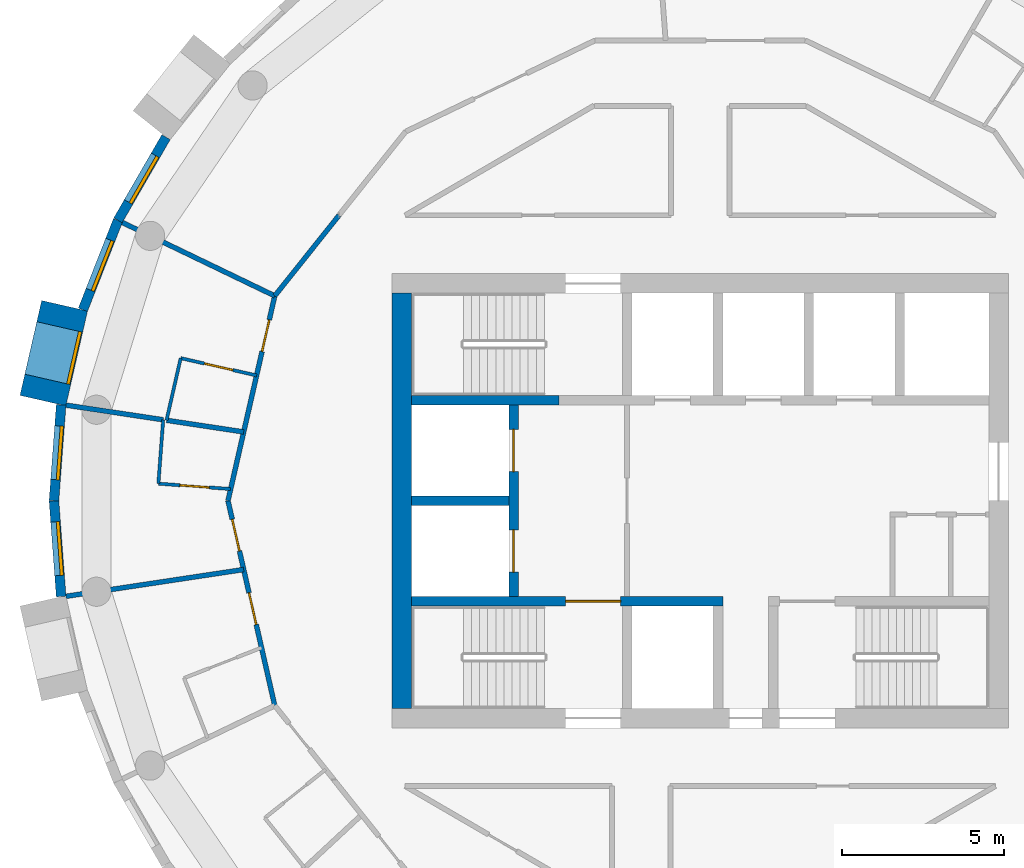
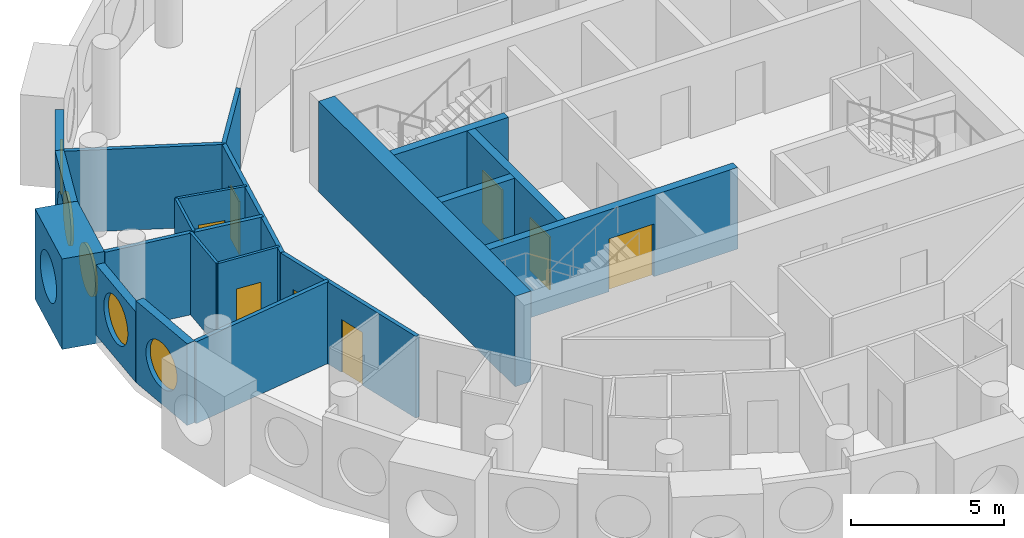
# One storey, part 6 of 12: 21 walls, 8 doors, 5 windows, 13 openings.
"""IFC4 building model written with IfcOpenShell, lengths in metres."""

from ifc_helpers import new_model, si_unit, direction, frame, frame_2d, origin, origin_2d, place, context, subcontext, project, spatial, rectangle, circle, extrude, material, layer, layer_set, type_object, element, fill, save


model = new_model("IFC4")

# Units and contexts
model_context = context("Model", 3, precision=1e-05, world=origin(), true_north=direction((0.0, 1.0)))
body_context = subcontext(model_context, "Body", "Model", "MODEL_VIEW")
ifc_project = project(units=[si_unit("LENGTHUNIT", "METRE"), si_unit("AREAUNIT", "SQUARE_METRE"), si_unit("VOLUMEUNIT", "CUBIC_METRE"), si_unit("PLANEANGLEUNIT", "RADIAN"), si_unit("MASSUNIT", "GRAM", prefix="KILO")], contexts=[model_context])

# Site, building, storey
site_placement = place(None, origin())
site = spatial("IfcSite", under=ifc_project, at=site_placement, CompositionType="ELEMENT")
building_placement = place(site_placement, origin())
building = spatial("IfcBuilding", under=site, at=building_placement, Name="Tracery Tower", CompositionType="ELEMENT")
storey_placement = place(building_placement, frame((0.0, 0.0, 287.39990234375)))
storey = spatial("IfcBuildingStorey", under=building, at=storey_placement, Name="L74", CompositionType="ELEMENT", Elevation=287.39990234375)

# Wall
ifc_material_1 = material(Name="Concrete C40/50", Category="concrete")
ifc_layer_1 = layer(ifc_material_1, 0.60009765625)
ifc_layer_set_1 = layer_set([ifc_layer_1], Name="Core wall 600 C40")
wall_type_1 = type_object("IfcWallType", Name="Core wall 600 C40", PredefinedType="SOLIDWALL", material=ifc_layer_set_1)
wall_1_placement = place(storey_placement, frame((-9.199951171875, -6.39990234375, 0.0), z_axis=(0.0, 0.0, 1.0), x_axis=(0.0, 1.0, 0.0)))
element("IfcWall", 1, at=wall_1_placement, inside=storey, type_object=wall_type_1, Name="L74 outer W", PredefinedType="SOLIDWALL", context=body_context, shape_type="SweptSolid", body=[
    extrude(rectangle(XDim=12.7998046875, YDim=0.60009765625, at=frame_2d((6.39990234375, 0.0))), origin(), (0.0, 0.0, 1.0), 3.60009765625),
])

# Wall, opening, window
ifc_material_2 = material(Name="Precast concrete C50/60", Category="concrete")
ifc_layer_2 = layer(ifc_material_2, 1.449951171875)
ifc_layer_set_2 = layer_set([ifc_layer_2], Name="Deep-set bay unit 3000 x 3600, slab edge 350")
wall_type_2 = type_object("IfcWallType", Name="Deep-set bay unit 3000 x 3600, slab edge 350", PredefinedType="ELEMENTEDWALL", material=ifc_layer_set_2)
wall_2_placement = place(storey_placement, frame((-19.5947265625, 6.010986328125, -0.349853515625), z_axis=(0.0, 0.0, 1.0), x_axis=(-0.222570682856, -0.974916555985, 0.0)))
wall_2 = element("IfcWall", 2, at=wall_2_placement, inside=storey, type_object=wall_type_2, Name="Deep-set bay unit 20 at L74", PredefinedType="ELEMENTEDWALL", context=body_context, shape_type="SweptSolid", body=[
    extrude(rectangle(XDim=3.0, YDim=1.449951171875, at=frame_2d((1.5, 0.0))), origin(), (0.0, 0.0, 1.0), 3.599853515625),
])
opening_1_placement = place(wall_2_placement, frame((1.5, 0.0, 1.89990234375)))
opening_1 = element("IfcOpeningElement", 3, at=opening_1_placement, cuts=wall_2, Name="Opening WN1", PredefinedType="OPENING", context=body_context, shape_type="SweptSolid", body=[
    extrude(circle(Radius=0.9000244140625, at=origin_2d()), frame((0.0, 0.73486328125, 0.0), z_axis=(0.0, -1.0, 0.0), x_axis=(1.0, 0.0, 0.0)), (0.0, 0.0, 1.0), 1.469970703125),
])
ifc_material_3 = material(Name="Aluminium frame with tinted double glazing", Category="aluminium")
window_type = type_object("IfcWindowType", Name="Round window 1800", PartitioningType="SINGLE_PANEL", PredefinedType="WINDOW", material=ifc_material_3)
window_1_placement = place(opening_1_placement, origin())
window_1 = element("IfcWindow", 4, at=window_1_placement, inside=storey, type_object=window_type, Name="Round window 20 at L74", OverallHeight=1.800048828125, OverallWidth=1.800048828125, PartitioningType="SINGLE_PANEL", PredefinedType="WINDOW", context=body_context, shape_type="SweptSolid", body=[
    extrude(circle(Radius=0.9000244140625, at=origin_2d()), frame((0.0, 0.69482421875, 0.0), z_axis=(0.0, -1.0, 0.0), x_axis=(1.0, 0.0, 0.0)), (0.0, 0.0, 1.0), 0.10009765625),
])
fill(opening_1, window_1)

ifc_material_4 = material(Name="Precast concrete C50/60", Category="concrete")
ifc_layer_3 = layer(ifc_material_4, 0.300048828125)
ifc_layer_set_3 = layer_set([ifc_layer_3], Name="Facade panel 3000 x 2800")
wall_type_3 = type_object("IfcWallType", Name="Facade panel 3000 x 2800", PredefinedType="SOLIDWALL", material=ifc_layer_set_3)
wall_3_placement = place(storey_placement, frame((-16.4677734375, 11.209228515625, 0.0), z_axis=(0.0, 0.0, 1.0), x_axis=(-0.500012570604, -0.866018146021, 0.0)))
wall_3 = element("IfcWall", 5, at=wall_3_placement, inside=storey, type_object=wall_type_3, Name="Facade panel 18 at L74", PredefinedType="SOLIDWALL", context=body_context, shape_type="SweptSolid", body=[
    extrude(rectangle(XDim=2.96240234375, YDim=0.300048828125, at=frame_2d((1.481201171875, 0.0))), origin(), (0.0, 0.0, 1.0), 2.800048828125),
])
opening_2_placement = place(wall_3_placement, frame((1.48095703125, 0.0, 1.5498046875)))
opening_2 = element("IfcOpeningElement", 6, at=opening_2_placement, cuts=wall_3, Name="Opening WN1", PredefinedType="OPENING", context=body_context, shape_type="SweptSolid", body=[
    extrude(circle(Radius=0.9000244140625, at=origin_2d()), frame((0.0, 0.159912109375, 0.0), z_axis=(0.0, -1.0, 0.0), x_axis=(1.0, 0.0, 0.0)), (0.0, 0.0, 1.0), 0.320068359375),
])
window_2_placement = place(opening_2_placement, origin())
window_2 = element("IfcWindow", 7, at=window_2_placement, inside=storey, type_object=window_type, Name="Round window 18 at L74", OverallHeight=1.800048828125, OverallWidth=1.800048828125, PartitioningType="SINGLE_PANEL", PredefinedType="WINDOW", context=body_context, shape_type="SweptSolid", body=[
    extrude(circle(Radius=0.9000244140625, at=origin_2d()), frame((0.0, 0.1201171875, 0.0), z_axis=(0.0, -1.0, 0.0), x_axis=(1.0, 0.0, 0.0)), (0.0, 0.0, 1.0), 0.10009765625),
])
fill(opening_2, window_2)

wall_4_placement = place(storey_placement, frame((-19.700439453125, 2.953857421875, 0.0), z_axis=(0.0, 0.0, 1.0), x_axis=(-0.074755115547, -0.997201921729, 0.0)))
wall_4 = element("IfcWall", 8, at=wall_4_placement, inside=storey, type_object=wall_type_3, Name="Facade panel 21 at L74", PredefinedType="SOLIDWALL", context=body_context, shape_type="SweptSolid", body=[
    extrude(rectangle(XDim=2.962158203125, YDim=0.300048828125, at=frame_2d((1.48095703125, 0.0))), origin(), (0.0, 0.0, 1.0), 2.800048828125),
])
opening_3_placement = place(wall_4_placement, frame((1.48095703125, 0.0, 1.5498046875)))
opening_3 = element("IfcOpeningElement", 9, at=opening_3_placement, cuts=wall_4, Name="Opening WN1", PredefinedType="OPENING", context=body_context, shape_type="SweptSolid", body=[
    extrude(circle(Radius=0.9000244140625, at=origin_2d()), frame((0.0, 0.159912109375, 0.0), z_axis=(0.0, -1.0, 0.0), x_axis=(1.0, 0.0, 0.0)), (0.0, 0.0, 1.0), 0.320068359375),
])
window_3_placement = place(opening_3_placement, origin())
window_3 = element("IfcWindow", 10, at=window_3_placement, inside=storey, type_object=window_type, Name="Round window 21 at L74", OverallHeight=1.800048828125, OverallWidth=1.800048828125, PartitioningType="SINGLE_PANEL", PredefinedType="WINDOW", context=body_context, shape_type="SweptSolid", body=[
    extrude(circle(Radius=0.9000244140625, at=origin_2d()), frame((0.0, 0.1201171875, 0.0), z_axis=(0.0, -1.0, 0.0), x_axis=(1.0, 0.0, 0.0)), (0.0, 0.0, 1.0), 0.10009765625),
])
fill(opening_3, window_3)

ifc_material_5 = material(Name="Precast concrete C50/60", Category="concrete")
ifc_layer_4 = layer(ifc_material_5, 0.300048828125)
ifc_layer_set_4 = layer_set([ifc_layer_4], Name="Facade panel 3000 x 3250")
wall_type_4 = type_object("IfcWallType", Name="Facade panel 3000 x 3250", PredefinedType="SOLIDWALL", material=ifc_layer_set_4)
wall_5_placement = place(storey_placement, frame((-17.948974609375, 8.643798828125, 0.0), z_axis=(0.0, 0.0, 1.0), x_axis=(-0.365343821297, -0.930872650925, 0.0)))
wall_5 = element("IfcWall", 11, at=wall_5_placement, inside=storey, type_object=wall_type_4, Name="Facade panel 19 at L74", PredefinedType="SOLIDWALL", context=body_context, shape_type="SweptSolid", body=[
    extrude(rectangle(XDim=2.96240234375, YDim=0.300048828125, at=frame_2d((1.481201171875, 0.0))), origin(), (0.0, 0.0, 1.0), 3.25),
])
opening_4_placement = place(wall_5_placement, frame((1.48095703125, 0.0, 1.5498046875)))
opening_4 = element("IfcOpeningElement", 12, at=opening_4_placement, cuts=wall_5, Name="Opening WN1", PredefinedType="OPENING", context=body_context, shape_type="SweptSolid", body=[
    extrude(circle(Radius=0.9000244140625, at=origin_2d()), frame((0.0, 0.159912109375, 0.0), z_axis=(0.0, -1.0, 0.0), x_axis=(1.0, 0.0, 0.0)), (0.0, 0.0, 1.0), 0.320068359375),
])
window_4_placement = place(opening_4_placement, origin())
window_4 = element("IfcWindow", 13, at=window_4_placement, inside=storey, type_object=window_type, Name="Round window 19 at L74", OverallHeight=1.800048828125, OverallWidth=1.800048828125, PartitioningType="SINGLE_PANEL", PredefinedType="WINDOW", context=body_context, shape_type="SweptSolid", body=[
    extrude(circle(Radius=0.9000244140625, at=origin_2d()), frame((0.0, 0.1201171875, 0.0), z_axis=(0.0, -1.0, 0.0), x_axis=(1.0, 0.0, 0.0)), (0.0, 0.0, 1.0), 0.10009765625),
])
fill(opening_4, window_4)

wall_6_placement = place(storey_placement, frame((-19.921875, 0.0, 0.0), z_axis=(0.0, 0.0, 1.0), x_axis=(0.074755115547, -0.997201921729, 0.0)))
wall_6 = element("IfcWall", 14, at=wall_6_placement, inside=storey, type_object=wall_type_4, Name="Facade panel 22 at L74", PredefinedType="SOLIDWALL", context=body_context, shape_type="SweptSolid", body=[
    extrude(rectangle(XDim=2.962158203125, YDim=0.300048828125, at=frame_2d((1.48095703125, 0.0))), origin(), (0.0, 0.0, 1.0), 3.25),
])
opening_5_placement = place(wall_6_placement, frame((1.48095703125, 0.0, 1.5498046875)))
opening_5 = element("IfcOpeningElement", 15, at=opening_5_placement, cuts=wall_6, Name="Opening WN1", PredefinedType="OPENING", context=body_context, shape_type="SweptSolid", body=[
    extrude(circle(Radius=0.9000244140625, at=origin_2d()), frame((0.0, 0.159912109375, 0.0), z_axis=(0.0, -1.0, 0.0), x_axis=(1.0, 0.0, 0.0)), (0.0, 0.0, 1.0), 0.320068359375),
])
window_5_placement = place(opening_5_placement, origin())
window_5 = element("IfcWindow", 16, at=window_5_placement, inside=storey, type_object=window_type, Name="Round window 22 at L74", OverallHeight=1.800048828125, OverallWidth=1.800048828125, PartitioningType="SINGLE_PANEL", PredefinedType="WINDOW", context=body_context, shape_type="SweptSolid", body=[
    extrude(circle(Radius=0.9000244140625, at=origin_2d()), frame((0.0, 0.1201171875, 0.0), z_axis=(0.0, -1.0, 0.0), x_axis=(1.0, 0.0, 0.0)), (0.0, 0.0, 1.0), 0.10009765625),
])
fill(opening_5, window_5)

# Wall, opening, door
ifc_material_6 = material(Name="Plasterboard on steel studs", Category="steel")
ifc_layer_5 = layer(ifc_material_6, 0.10009765625)
ifc_layer_set_5 = layer_set([ifc_layer_5], Name="Partition 100 wet wall")
wall_type_5 = type_object("IfcWallType", Name="Partition 100 wet wall", PredefinedType="PARTITIONING", material=ifc_layer_set_5)
wall_7_placement = place(storey_placement, frame((-16.014892578125, 4.39599609375, 0.0), z_axis=(0.0, 0.0, 1.0), x_axis=(0.97493862442, -0.222473995368, 0.0)))
wall_7 = element("IfcWall", 17, at=wall_7_placement, inside=storey, type_object=wall_type_5, Name="Wet wall RC6-060", PredefinedType="PARTITIONING", context=body_context, shape_type="SweptSolid", body=[
    extrude(rectangle(XDim=2.39990234375, YDim=0.10009765625, at=frame_2d((1.199951171875, 0.0))), origin(), (0.0, 0.0, 1.0), 3.25),
])
opening_6_placement = place(wall_7_placement, frame((0.750244140625, 0.0, 0.0)))
opening_6 = element("IfcOpeningElement", 18, at=opening_6_placement, cuts=wall_7, Name="Opening RC6-14", PredefinedType="OPENING", context=body_context, shape_type="SweptSolid", body=[
    extrude(rectangle(XDim=0.89990234375, YDim=2.0400390625, at=frame_2d((0.449951171875, 1.02001953125))), frame((0.0, 0.050048828125, 0.0), z_axis=(0.0, -1.0, 0.0), x_axis=(1.0, 0.0, 0.0)), (0.0, 0.0, 1.0), 0.10009765625),
])
ifc_material_7 = material(Name="Timber door leaf", Category="wood")
door_type_1 = type_object("IfcDoorType", Name="Door en-suite 900", OperationType="NOTDEFINED", PredefinedType="DOOR", material=ifc_material_7)
door_1_placement = place(opening_6_placement, origin())
door_1 = element("IfcDoor", 19, at=door_1_placement, inside=storey, type_object=door_type_1, Name="En-suite door RC6-14", OperationType="SINGLE_SWING_LEFT", OverallHeight=2.0400390625, OverallWidth=0.89990234375, PredefinedType="DOOR", context=body_context, shape_type="SweptSolid", body=[
    extrude(rectangle(XDim=0.89990234375, YDim=2.0400390625, at=frame_2d((0.449951171875, 1.02001953125))), frame((0.0, 0.02490234375, 0.0), z_axis=(0.0, -1.0, 0.0), x_axis=(1.0, 0.0, 0.0)), (0.0, 0.0, 1.0), 0.050048828125),
])
fill(opening_6, door_1)

# Walls
wall_8_placement = place(storey_placement, frame((-16.451904296875, 2.47998046875, 0.0), z_axis=(0.0, 0.0, 1.0), x_axis=(0.22237276708, 0.974961718459, 0.0)))
element("IfcWall", 20, at=wall_8_placement, inside=storey, type_object=wall_type_5, Name="Wet wall RC6-061", PredefinedType="PARTITIONING", context=body_context, shape_type="SweptSolid", body=[
    extrude(rectangle(XDim=1.96533203125, YDim=0.10009765625, at=frame_2d((0.982666015625, 0.0))), origin(), (0.0, 0.0, 1.0), 3.25),
])
wall_9_placement = place(storey_placement, frame((-16.702880859375, 0.527099609375, 0.0), z_axis=(0.0, 0.0, 1.0), x_axis=(0.07496524071, 0.99718614746, 0.0)))
element("IfcWall", 21, at=wall_9_placement, inside=storey, type_object=wall_type_5, Name="Wet wall RC6-064", PredefinedType="PARTITIONING", context=body_context, shape_type="SweptSolid", body=[
    extrude(rectangle(XDim=1.9736328125, YDim=0.10009765625, at=frame_2d((0.98681640625, 0.0))), origin(), (0.0, 0.0, 1.0), 3.25),
])

# Wall, opening, door
wall_10_placement = place(storey_placement, frame((-16.702880859375, 0.527099609375, 0.0), z_axis=(0.0, 0.0, 1.0), x_axis=(0.997202365433, -0.074749196488, 0.0)))
wall_10 = element("IfcWall", 22, at=wall_10_placement, inside=storey, type_object=wall_type_5, Name="Wet wall RC6-065", PredefinedType="PARTITIONING", context=body_context, shape_type="SweptSolid", body=[
    extrude(rectangle(XDim=2.234130859375, YDim=0.10009765625, at=frame_2d((1.1171875, 0.0))), origin(), (0.0, 0.0, 1.0), 3.25),
])
opening_7_placement = place(wall_10_placement, frame((0.6669921875, 0.0, 0.0)))
opening_7 = element("IfcOpeningElement", 23, at=opening_7_placement, cuts=wall_10, Name="Opening RC6-16", PredefinedType="OPENING", context=body_context, shape_type="SweptSolid", body=[
    extrude(rectangle(XDim=0.89990234375, YDim=2.0400390625, at=frame_2d((0.449951171875, 1.02001953125))), frame((0.0, 0.050048828125, 0.0), z_axis=(0.0, -1.0, 0.0), x_axis=(1.0, 0.0, 0.0)), (0.0, 0.0, 1.0), 0.10009765625),
])
door_2_placement = place(opening_7_placement, origin())
door_2 = element("IfcDoor", 24, at=door_2_placement, inside=storey, type_object=door_type_1, Name="En-suite door RC6-16", OperationType="SINGLE_SWING_LEFT", OverallHeight=2.0400390625, OverallWidth=0.89990234375, PredefinedType="DOOR", context=body_context, shape_type="SweptSolid", body=[
    extrude(rectangle(XDim=0.89990234375, YDim=2.0400390625, at=frame_2d((0.449951171875, 1.02001953125))), frame((0.0, 0.02490234375, 0.0), z_axis=(0.0, -1.0, 0.0), x_axis=(1.0, 0.0, 0.0)), (0.0, 0.0, 1.0), 0.050048828125),
])
fill(opening_7, door_2)

# Walls
ifc_material_8 = material(Name="Plasterboard on steel studs", Category="steel")
ifc_layer_6 = layer(ifc_material_8, 0.14990234375)
ifc_layer_set_6 = layer_set([ifc_layer_6], Name="Partition 150 acoustic unit wall")
wall_type_6 = type_object("IfcWallType", Name="Partition 150 acoustic unit wall", PredefinedType="PARTITIONING", material=ifc_layer_set_6)
wall_11_placement = place(storey_placement, frame((-17.81298828125, 8.577880859375, 0.0), z_axis=(0.0, 0.0, 1.0), x_axis=(0.901004381064, -0.433809987557, 0.0)))
element("IfcWall", 25, at=wall_11_placement, inside=storey, type_object=wall_type_6, Name="Unit wall RC6-059", PredefinedType="PARTITIONING", context=body_context, shape_type="SweptSolid", body=[
    extrude(rectangle(XDim=5.214111328125, YDim=0.14990234375, at=frame_2d((2.60693359375, 0.0))), origin(), (0.0, 0.0, 1.0), 3.25),
])
wall_12_placement = place(storey_placement, frame((-19.551025390625, 2.947021484375, 0.0), z_axis=(0.0, 0.0, 1.0), x_axis=(0.988844081525, -0.14895429646, 0.0)))
element("IfcWall", 26, at=wall_12_placement, inside=storey, type_object=wall_type_6, Name="Unit wall RC6-062", PredefinedType="PARTITIONING", context=body_context, shape_type="SweptSolid", body=[
    extrude(rectangle(XDim=3.033935546875, YDim=0.14990234375, at=frame_2d((1.51708984375, 0.0))), origin(), (0.0, 0.0, 1.0), 3.25),
])
wall_13_placement = place(storey_placement, frame((-16.451904296875, 2.47998046875, 0.0), z_axis=(0.0, 0.0, 1.0), x_axis=(0.988810951618, -0.149174065977, 0.0)))
element("IfcWall", 27, at=wall_13_placement, inside=storey, type_object=wall_type_6, Name="Unit wall RC6-063", PredefinedType="PARTITIONING", context=body_context, shape_type="SweptSolid", body=[
    extrude(rectangle(XDim=2.40576171875, YDim=0.14990234375, at=frame_2d((1.202880859375, 0.0))), origin(), (0.0, 0.0, 1.0), 3.25),
])
wall_14_placement = place(storey_placement, frame((-19.551025390625, -2.947021484375, 0.0), z_axis=(0.0, 0.0, 1.0), x_axis=(0.988824228734, 0.149086031099, 0.0)))
element("IfcWall", 28, at=wall_14_placement, inside=storey, type_object=wall_type_6, Name="Unit wall RC6-066", PredefinedType="PARTITIONING", context=body_context, shape_type="SweptSolid", body=[
    extrude(rectangle(XDim=5.5400390625, YDim=0.14990234375, at=frame_2d((2.77001953125, 0.0))), origin(), (0.0, 0.0, 1.0), 3.25),
])
ifc_material_9 = material(Name="Plasterboard on steel studs", Category="steel")
ifc_layer_7 = layer(ifc_material_9, 0.14990234375)
ifc_layer_set_7 = layer_set([ifc_layer_7], Name="Partition 150 corridor wall")
wall_type_7 = type_object("IfcWallType", Name="Partition 150 corridor wall", PredefinedType="PARTITIONING", material=ifc_layer_set_7)
wall_15_placement = place(storey_placement, frame((-13.114990234375, 6.31591796875, 0.0), z_axis=(0.0, 0.0, 1.0), x_axis=(0.623476099415, 0.781842409606, 0.0)))
element("IfcWall", 29, at=wall_15_placement, inside=storey, type_object=wall_type_7, Name="Corridor wall RC6-033", PredefinedType="PARTITIONING", context=body_context, shape_type="SweptSolid", body=[
    extrude(rectangle(XDim=3.17724609375, YDim=0.14990234375, at=frame_2d((1.588623046875, 0.0))), origin(), (0.0, 0.0, 1.0), 3.25),
])

# Wall, opening, door
wall_16_placement = place(storey_placement, frame((-14.556640625, 0.0, 0.0), z_axis=(0.0, 0.0, 1.0), x_axis=(0.222533159771, 0.974925121639, 0.0)))
wall_16 = element("IfcWall", 30, at=wall_16_placement, inside=storey, type_object=wall_type_7, Name="Corridor wall RC6-034", PredefinedType="PARTITIONING", context=body_context, shape_type="SweptSolid", body=[
    extrude(rectangle(XDim=6.478271484375, YDim=0.14990234375, at=frame_2d((3.2392578125, 0.0))), origin(), (0.0, 0.0, 1.0), 3.25),
])
opening_8_placement = place(wall_16_placement, frame((4.71826171875, 0.0, 0.0)))
opening_8 = element("IfcOpeningElement", 31, at=opening_8_placement, cuts=wall_16, Name="Opening RC6-15", PredefinedType="OPENING", context=body_context, shape_type="SweptSolid", body=[
    extrude(rectangle(XDim=1.0, YDim=2.10009765625, at=frame_2d((0.5, 1.050048828125))), frame((0.0, 0.074951171875, 0.0), z_axis=(0.0, -1.0, 0.0), x_axis=(1.0, 0.0, 0.0)), (0.0, 0.0, 1.0), 0.14990234375),
])
ifc_material_10 = material(Name="Timber door leaf", Category="wood")
door_type_2 = type_object("IfcDoorType", Name="Door unit entrance 1000", OperationType="NOTDEFINED", PredefinedType="DOOR", material=ifc_material_10)
door_3_placement = place(opening_8_placement, origin())
door_3 = element("IfcDoor", 32, at=door_3_placement, inside=storey, type_object=door_type_2, Name="Unit entrance door RC6-15", OperationType="SINGLE_SWING_RIGHT", OverallHeight=2.10009765625, OverallWidth=1.0, PredefinedType="DOOR", context=body_context, shape_type="SweptSolid", body=[
    extrude(rectangle(XDim=1.0, YDim=2.10009765625, at=frame_2d((0.5, 1.050048828125))), frame((0.0, 0.02490234375, 0.0), z_axis=(0.0, -1.0, 0.0), x_axis=(1.0, 0.0, 0.0)), (0.0, 0.0, 1.0), 0.050048828125),
])
fill(opening_8, door_3)

# Wall, openings, doors
wall_17_placement = place(storey_placement, frame((-14.556884765625, 0.0, 0.0), z_axis=(0.0, 0.0, 1.0), x_axis=(0.222489165471, -0.974935162587, 0.0)))
wall_17 = element("IfcWall", 33, at=wall_17_placement, inside=storey, type_object=wall_type_7, Name="Corridor wall RC6-035", PredefinedType="PARTITIONING", context=body_context, shape_type="SweptSolid", body=[
    extrude(rectangle(XDim=6.478515625, YDim=0.14990234375, at=frame_2d((3.2392578125, 0.0))), origin(), (0.0, 0.0, 1.0), 3.25),
])
opening_9_placement = place(wall_17_placement, frame((0.589599609375, 0.0, 0.0)))
opening_9 = element("IfcOpeningElement", 34, at=opening_9_placement, cuts=wall_17, Name="Opening RC6-17", PredefinedType="OPENING", context=body_context, shape_type="SweptSolid", body=[
    extrude(rectangle(XDim=1.0, YDim=2.10009765625, at=frame_2d((0.5, 1.050048828125))), frame((0.0, 0.074951171875, 0.0), z_axis=(0.0, -1.0, 0.0), x_axis=(1.0, 0.0, 0.0)), (0.0, 0.0, 1.0), 0.14990234375),
])
opening_10_placement = place(wall_17_placement, frame((2.91162109375, 0.0, 0.0)))
opening_10 = element("IfcOpeningElement", 35, at=opening_10_placement, cuts=wall_17, Name="Opening RC6-19", PredefinedType="OPENING", context=body_context, shape_type="SweptSolid", body=[
    extrude(rectangle(XDim=1.0, YDim=2.10009765625, at=frame_2d((0.5, 1.050048828125))), frame((0.0, 0.074951171875, 0.0), z_axis=(0.0, -1.0, 0.0), x_axis=(1.0, 0.0, 0.0)), (0.0, 0.0, 1.0), 0.14990234375),
])
door_4_placement = place(opening_9_placement, origin())
door_4 = element("IfcDoor", 36, at=door_4_placement, inside=storey, type_object=door_type_2, Name="Unit entrance door RC6-17", OperationType="SINGLE_SWING_RIGHT", OverallHeight=2.10009765625, OverallWidth=1.0, PredefinedType="DOOR", context=body_context, shape_type="SweptSolid", body=[
    extrude(rectangle(XDim=1.0, YDim=2.10009765625, at=frame_2d((0.5, 1.050048828125))), frame((0.0, 0.02490234375, 0.0), z_axis=(0.0, -1.0, 0.0), x_axis=(1.0, 0.0, 0.0)), (0.0, 0.0, 1.0), 0.050048828125),
])
fill(opening_9, door_4)
door_5_placement = place(opening_10_placement, origin())
door_5 = element("IfcDoor", 37, at=door_5_placement, inside=storey, type_object=door_type_2, Name="Unit entrance door RC6-19", OperationType="SINGLE_SWING_LEFT", OverallHeight=2.10009765625, OverallWidth=1.0, PredefinedType="DOOR", context=body_context, shape_type="SweptSolid", body=[
    extrude(rectangle(XDim=1.0, YDim=2.10009765625, at=frame_2d((0.5, 1.050048828125))), frame((0.0, 0.02490234375, 0.0), z_axis=(0.0, -1.0, 0.0), x_axis=(1.0, 0.0, 0.0)), (0.0, 0.0, 1.0), 0.050048828125),
])
fill(opening_10, door_5)

# Wall
ifc_material_11 = material(Name="Concrete C40/50", Category="concrete")
ifc_layer_8 = layer(ifc_material_11, 0.300048828125)
ifc_layer_set_8 = layer_set([ifc_layer_8], Name="Shaft wall 300 C40")
wall_type_8 = type_object("IfcWallType", Name="Shaft wall 300 C40", PredefinedType="SOLIDWALL", material=ifc_layer_set_8)
wall_18_placement = place(storey_placement, frame((-8.89990234375, 0.0, 0.0), z_axis=(0.0, 0.0, 1.0), x_axis=(1.0, 0.0, 0.0)))
element("IfcWall", 38, at=wall_18_placement, inside=storey, type_object=wall_type_8, Name="L74 FF split", PredefinedType="SOLIDWALL", context=body_context, shape_type="SweptSolid", body=[
    extrude(rectangle(XDim=3.0, YDim=0.300048828125, at=frame_2d((1.5, 0.0))), origin(), (0.0, 0.0, 1.0), 3.25),
])

# Wall, openings, doors
wall_19_placement = place(storey_placement, frame((-5.75, -2.949951171875, 0.0), z_axis=(0.0, 0.0, 1.0), x_axis=(0.0, 1.0, 0.0)))
wall_19 = element("IfcWall", 39, at=wall_19_placement, inside=storey, type_object=wall_type_8, Name="L74 FF doors", PredefinedType="SOLIDWALL", context=body_context, shape_type="SweptSolid", body=[
    extrude(rectangle(XDim=5.89990234375, YDim=0.300048828125, at=frame_2d((2.949951171875, 0.0))), origin(), (0.0, 0.0, 1.0), 3.25),
])
opening_11_placement = place(wall_19_placement, frame((0.75, 0.0, 0.0)))
opening_11 = element("IfcOpeningElement", 40, at=opening_11_placement, cuts=wall_19, Name="Opening KD54", PredefinedType="OPENING", context=body_context, shape_type="SweptSolid", body=[
    extrude(rectangle(XDim=1.300048828125, YDim=2.10009765625, at=frame_2d((0.64990234375, 1.050048828125))), frame((0.0, 0.14990234375, 0.0), z_axis=(0.0, -1.0, 0.0), x_axis=(1.0, 0.0, 0.0)), (0.0, 0.0, 1.0), 0.300048828125),
])
opening_12_placement = place(wall_19_placement, frame((3.85009765625, 0.0, 0.0)))
opening_12 = element("IfcOpeningElement", 41, at=opening_12_placement, cuts=wall_19, Name="Opening KD55", PredefinedType="OPENING", context=body_context, shape_type="SweptSolid", body=[
    extrude(rectangle(XDim=1.300048828125, YDim=2.10009765625, at=frame_2d((0.64990234375, 1.050048828125))), frame((0.0, 0.14990234375, 0.0), z_axis=(0.0, -1.0, 0.0), x_axis=(1.0, 0.0, 0.0)), (0.0, 0.0, 1.0), 0.300048828125),
])
ifc_material_12 = material(Name="Steel fire door", Category="steel")
door_type_3 = type_object("IfcDoorType", Name="Landing door FF 1300", OperationType="NOTDEFINED", PredefinedType="DOOR", material=ifc_material_12)
door_6_placement = place(opening_11_placement, origin())
door_6 = element("IfcDoor", 42, at=door_6_placement, inside=storey, type_object=door_type_3, Name="Landing door FF1", OperationType="SLIDING_TO_LEFT", OverallHeight=2.10009765625, OverallWidth=1.300048828125, PredefinedType="DOOR", context=body_context, shape_type="SweptSolid", body=[
    extrude(rectangle(XDim=1.300048828125, YDim=2.10009765625, at=frame_2d((0.64990234375, 1.050048828125))), frame((0.0, 0.02490234375, 0.0), z_axis=(0.0, -1.0, 0.0), x_axis=(1.0, 0.0, 0.0)), (0.0, 0.0, 1.0), 0.050048828125),
])
fill(opening_11, door_6)
door_7_placement = place(opening_12_placement, origin())
door_7 = element("IfcDoor", 43, at=door_7_placement, inside=storey, type_object=door_type_3, Name="Landing door FF2", OperationType="SLIDING_TO_RIGHT", OverallHeight=2.10009765625, OverallWidth=1.300048828125, PredefinedType="DOOR", context=body_context, shape_type="SweptSolid", body=[
    extrude(rectangle(XDim=1.300048828125, YDim=2.10009765625, at=frame_2d((0.64990234375, 1.050048828125))), frame((0.0, 0.02490234375, 0.0), z_axis=(0.0, -1.0, 0.0), x_axis=(1.0, 0.0, 0.0)), (0.0, 0.0, 1.0), 0.050048828125),
])
fill(opening_12, door_7)

# Wall, opening, door
ifc_material_13 = material(Name="Concrete C40/50", Category="concrete")
ifc_layer_9 = layer(ifc_material_13, 0.300048828125)
ifc_layer_set_9 = layer_set([ifc_layer_9], Name="Stair wall 300 C40")
wall_type_9 = type_object("IfcWallType", Name="Stair wall 300 C40", PredefinedType="SOLIDWALL", material=ifc_layer_set_9)
wall_20_placement = place(storey_placement, frame((-8.89990234375, -3.10009765625, 0.0), z_axis=(0.0, 0.0, 1.0), x_axis=(1.0, 0.0, 0.0)))
wall_20 = element("IfcWall", 44, at=wall_20_placement, inside=storey, type_object=wall_type_9, Name="L74 row S", PredefinedType="SOLIDWALL", context=body_context, shape_type="SweptSolid", body=[
    extrude(rectangle(XDim=9.599853515625, YDim=0.300048828125, at=frame_2d((4.7998046875, 0.0))), origin(), (0.0, 0.0, 1.0), 3.25),
])
opening_13_placement = place(wall_20_placement, frame((4.75, 0.0, 0.0)))
opening_13 = element("IfcOpeningElement", 45, at=opening_13_placement, cuts=wall_20, Name="Opening KD3", PredefinedType="OPENING", context=body_context, shape_type="SweptSolid", body=[
    extrude(rectangle(XDim=1.699951171875, YDim=2.10009765625, at=frame_2d((0.85009765625, 1.050048828125))), frame((0.0, 0.14990234375, 0.0), z_axis=(0.0, -1.0, 0.0), x_axis=(1.0, 0.0, 0.0)), (0.0, 0.0, 1.0), 0.300048828125),
])
ifc_material_14 = material(Name="Steel fire door", Category="steel")
door_type_4 = type_object("IfcDoorType", Name="Core stair door 1700 double", OperationType="NOTDEFINED", PredefinedType="DOOR", material=ifc_material_14)
door_8_placement = place(opening_13_placement, origin())
door_8 = element("IfcDoor", 46, at=door_8_placement, inside=storey, type_object=door_type_4, Name="Stair door ST1", OperationType="DOUBLE_DOOR_SINGLE_SWING", OverallHeight=2.10009765625, OverallWidth=1.699951171875, PredefinedType="DOOR", context=body_context, shape_type="SweptSolid", body=[
    extrude(rectangle(XDim=1.699951171875, YDim=2.10009765625, at=frame_2d((0.85009765625, 1.050048828125))), frame((0.0, 0.02490234375, 0.0), z_axis=(0.0, -1.0, 0.0), x_axis=(1.0, 0.0, 0.0)), (0.0, 0.0, 1.0), 0.050048828125),
])
fill(opening_13, door_8)

# Wall
wall_21_placement = place(storey_placement, frame((-8.89990234375, 3.10009765625, 0.0), z_axis=(0.0, 0.0, 1.0), x_axis=(1.0, 0.0, 0.0)))
element("IfcWall", 47, at=wall_21_placement, inside=storey, type_object=wall_type_9, Name="L74 row N W", PredefinedType="SOLIDWALL", context=body_context, shape_type="SweptSolid", body=[
    extrude(rectangle(XDim=4.5498046875, YDim=0.300048828125, at=frame_2d((2.27490234375, 0.0))), origin(), (0.0, 0.0, 1.0), 3.25),
])

save(model, "model.ifc")
